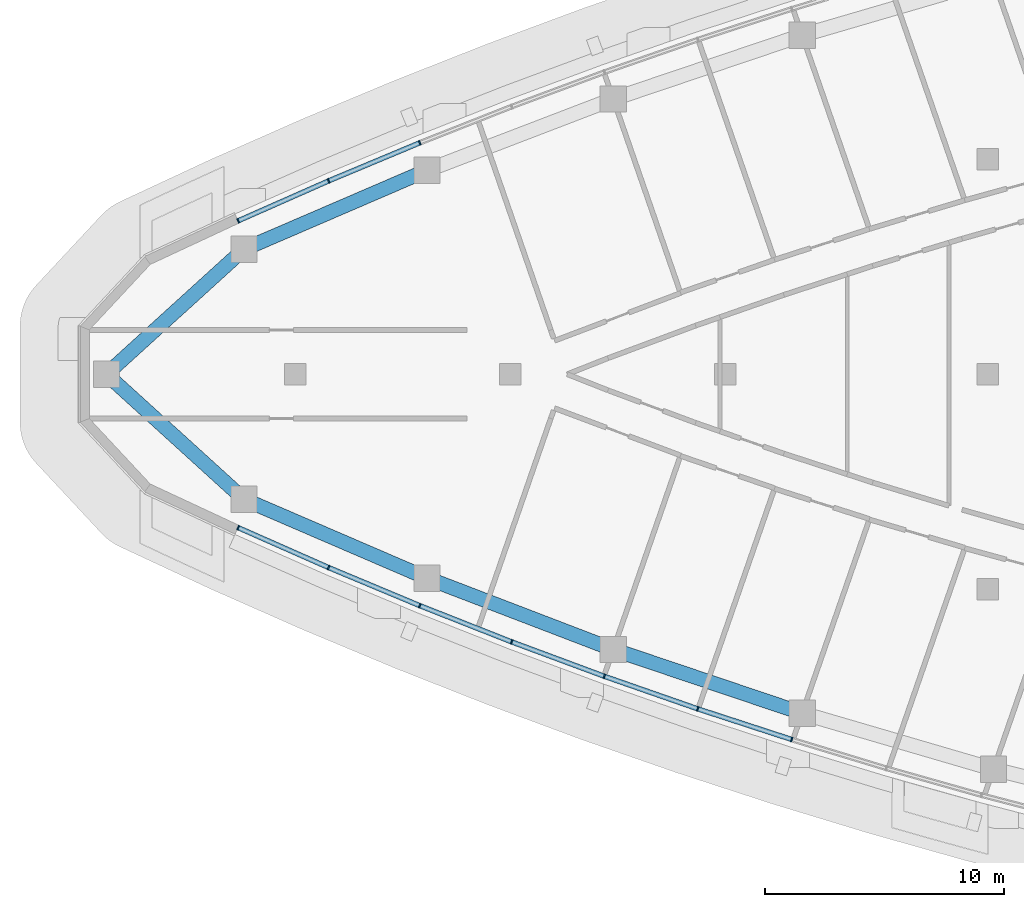
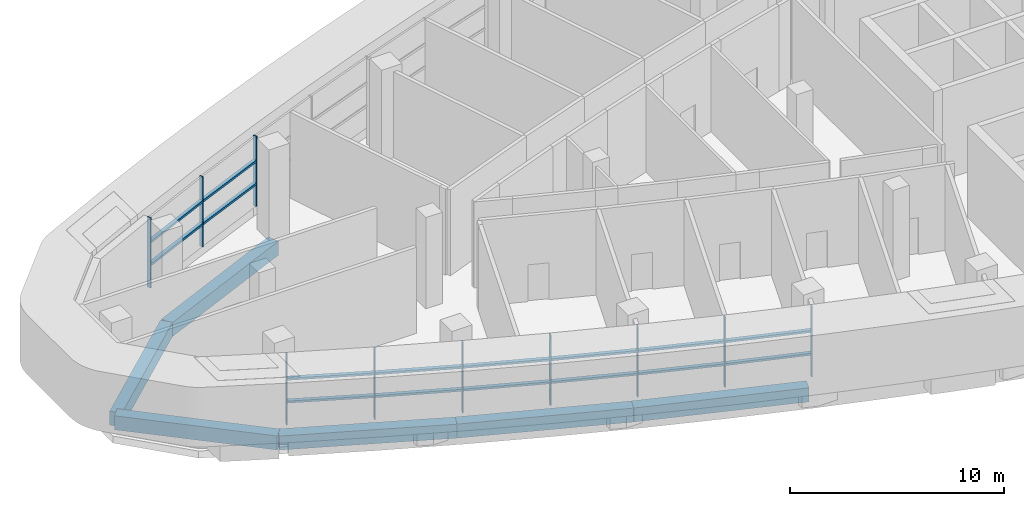
# One storey, part 2 of 14: 26 members, 6 beams, 5 elements without a shape of their own.
"""IFC4 building model written with IfcOpenShell, lengths in metres."""

from ifc_helpers import new_model, si_unit, direction, frame, origin, origin_2d, place, context, subcontext, project, spatial, rectangle, extrude, material, layer, layer_set, material_profile, profile_set, type_object, element, aggregate, save


model = new_model("IFC4")

# Units and contexts
model_context = context("Model", 3, precision=1e-05, world=origin(), true_north=direction((0.0, 1.0)))
body_context = subcontext(model_context, "Body", "Model", "MODEL_VIEW")
ifc_project = project(units=[si_unit("LENGTHUNIT", "METRE"), si_unit("AREAUNIT", "SQUARE_METRE"), si_unit("VOLUMEUNIT", "CUBIC_METRE"), si_unit("PLANEANGLEUNIT", "RADIAN"), si_unit("MASSUNIT", "GRAM", prefix="KILO")], contexts=[model_context])

# Site, building, storey
site_placement = place(None, origin())
site = spatial("IfcSite", under=ifc_project, at=site_placement, CompositionType="ELEMENT")
building_placement = place(site_placement, origin())
building = spatial("IfcBuilding", under=site, at=building_placement, Name="Ostrand Prow Hotel Tower", CompositionType="ELEMENT")
storey_placement = place(building_placement, frame((0.0, 0.0, 303.39990234375)))
storey = spatial("IfcBuildingStorey", under=building, at=storey_placement, Name="L77", CompositionType="ELEMENT", Elevation=303.39990234375)

# Beams
ifc_material_1 = material(Name="Concrete C50/60", Category="concrete")
ifc_material_profile_1 = material_profile(ifc_material_1, rectangle(XDim=0.60009765625, YDim=0.800048828125, at=origin_2d()), Name="RC 600x800")
ifc_profile_set_1 = profile_set([ifc_material_profile_1], Name="Concrete C50/60")
beam_type = type_object("IfcBeamType", Name="Edge beam 600x800 C50/60", PredefinedType="SPANDREL", material=ifc_profile_set_1)
beam_1_placement = place(storey_placement, frame((8.082763671875, 0.0, -0.7998046875), z_axis=(0.740124460758, -0.672469912032, 0.0), x_axis=(0.672469912032, 0.740124460758, 0.0)))
element("IfcBeam", 1, at=beam_1_placement, inside=storey, type_object=beam_type, Name="Edge beam P-S1", PredefinedType="SPANDREL", context=body_context, shape_type="SweptSolid", body=[
    extrude(rectangle(XDim=0.60009765625, YDim=0.800048828125, at=origin_2d()), origin(), (0.0, 0.0, 1.0), 7.787353515625),
])
for number, where, z_axis, x_axis, name in (
    (2, (13.846435546875, -5.23681640625, -0.7998046875), (0.918403788687, -0.39564438695, 0.0), (0.39564438695, 0.918403788687, 0.0), "Edge beam S1-S2"),
    (3, (21.51416015625, -8.5400390625, -0.7998046875), (0.933761753797, -0.357895218111, 0.0), (0.357895218111, 0.933761753797, 0.0), "Edge beam S2-S3"),
    (4, (29.31005859375, -11.528076171875, -0.7998046875), (0.947575089419, -0.319533174981, 0.0), (0.319533174981, 0.947575089419, 0.0), "Edge beam S3-S4"),
    (5, (21.51416015625, 8.5400390625, -0.7998046875), (-0.918403788687, -0.39564438695, 0.0), (0.39564438695, -0.918403788687, 0.0), "Edge beam N5-N6"),
):
    element("IfcBeam", number, at=place(storey_placement, frame(where, z_axis=z_axis, x_axis=x_axis)), inside=storey, type_object=beam_type, Name=name, PredefinedType="SPANDREL", context=body_context, shape_type="SweptSolid", body=[
        extrude(rectangle(XDim=0.60009765625, YDim=0.800048828125, at=origin_2d()), origin(), (0.0, 0.0, 1.0), 8.348876953125),
    ])
beam_2_placement = place(storey_placement, frame((13.846435546875, 5.23681640625, -0.7998046875), z_axis=(-0.740124460758, -0.672469912032, 0.0), x_axis=(0.672469912032, -0.740124460758, 0.0)))
element("IfcBeam", 6, at=beam_2_placement, inside=storey, type_object=beam_type, Name="Edge beam N6-P", PredefinedType="SPANDREL", context=body_context, shape_type="SweptSolid", body=[
    extrude(rectangle(XDim=0.60009765625, YDim=0.800048828125, at=origin_2d()), origin(), (0.0, 0.0, 1.0), 7.787353515625),
])

# Curtain wall, members
ifc_material_2 = material(Name="Insulated glass in bronze anodised frame", Category="glass")
ifc_layer = layer(ifc_material_2, 0.199951171875)
ifc_layer_set = layer_set([ifc_layer], Name="Insulated glass in bronze anodised frame")
curtain_wall_type = type_object("IfcCurtainWallType", Name="Plant storey louvre wall", PredefinedType="NOTDEFINED", material=ifc_layer_set)
curtain_wall_1_placement = place(storey_placement, origin())
curtain_wall_1 = element("IfcCurtainWall", 7, at=curtain_wall_1_placement, inside=storey, type_object=curtain_wall_type, Name="CW7 run CWS1", PredefinedType="NOTDEFINED")
ifc_material_3 = material(Name="Bronze anodised aluminium", Category="aluminium")
ifc_material_profile_2 = material_profile(ifc_material_3, rectangle(XDim=0.199951171875, YDim=0.06005859375, at=origin_2d()), Name="Mullion 60x200 bronze anodised aluminium")
ifc_profile_set_2 = profile_set([ifc_material_profile_2], Name="Bronze anodised aluminium")
member_type_1 = type_object("IfcMemberType", Name="Mullion 60x200 bronze anodised aluminium", PredefinedType="MULLION", material=ifc_profile_set_2)
member_1_placement = place(storey_placement, frame((13.60009765625, -6.423583984375, 0.900146484375), z_axis=(0.0, 0.0, 1.0), x_axis=(0.403939694592, 0.914785615941, 0.0)))
member_1 = element("IfcMember", 8, at=member_1_placement, type_object=member_type_1, Name="CW7 mullion 1", PredefinedType="MULLION", context=body_context, shape_type="SweptSolid", body=[
    extrude(rectangle(XDim=0.199951171875, YDim=0.06005859375, at=origin_2d()), origin(), (0.0, 0.0, 1.0), 4.0),
])
member_2_placement = place(storey_placement, frame((17.386962890625, -8.095947265625, 0.900146484375), z_axis=(0.0, 0.0, 1.0), x_axis=(0.385471263659, 0.922719840955, 0.0)))
member_2 = element("IfcMember", 9, at=member_2_placement, type_object=member_type_1, Name="CW7 mullion 2", PredefinedType="MULLION", context=body_context, shape_type="SweptSolid", body=[
    extrude(rectangle(XDim=0.199951171875, YDim=0.06005859375, at=origin_2d()), origin(), (0.0, 0.0, 1.0), 4.0),
])
member_3_placement = place(storey_placement, frame((21.206787109375, -9.691650390625, 0.900146484375), z_axis=(0.0, 0.0, 1.0), x_axis=(0.385471263659, 0.922719840955, 0.0)))
member_3 = element("IfcMember", 10, at=member_3_placement, type_object=member_type_1, Name="CW7 mullion 3", PredefinedType="MULLION", context=body_context, shape_type="SweptSolid", body=[
    extrude(rectangle(XDim=0.199951171875, YDim=0.06005859375, at=origin_2d()), origin(), (0.0, 0.0, 1.0), 4.0),
])

curtain_wall_2_placement = place(storey_placement, origin())
curtain_wall_2 = element("IfcCurtainWall", 11, at=curtain_wall_2_placement, inside=storey, type_object=curtain_wall_type, Name="CW7 run CWS2", PredefinedType="NOTDEFINED")
member_4_placement = place(storey_placement, frame((25.05810546875, -11.210205078125, 0.900146484375), z_axis=(0.0, 0.0, 1.0), x_axis=(0.348071422738, 0.937468017947, 0.0)))
member_4 = element("IfcMember", 12, at=member_4_placement, type_object=member_type_1, Name="CW7 mullion 2", PredefinedType="MULLION", context=body_context, shape_type="SweptSolid", body=[
    extrude(rectangle(XDim=0.199951171875, YDim=0.06005859375, at=origin_2d()), origin(), (0.0, 0.0, 1.0), 4.0),
])
member_5_placement = place(storey_placement, frame((28.93896484375, -12.6513671875, 0.900146484375), z_axis=(0.0, 0.0, 1.0), x_axis=(0.348071422738, 0.937468017947, 0.0)))
member_5 = element("IfcMember", 13, at=member_5_placement, type_object=member_type_1, Name="CW7 mullion 3", PredefinedType="MULLION", context=body_context, shape_type="SweptSolid", body=[
    extrude(rectangle(XDim=0.199951171875, YDim=0.06005859375, at=origin_2d()), origin(), (0.0, 0.0, 1.0), 4.0),
])

curtain_wall_3_placement = place(storey_placement, origin())
curtain_wall_3 = element("IfcCurtainWall", 14, at=curtain_wall_3_placement, inside=storey, type_object=curtain_wall_type, Name="CW7 run CWS3", PredefinedType="NOTDEFINED")
member_6_placement = place(storey_placement, frame((32.84814453125, -14.013916015625, 0.900146484375), z_axis=(0.0, 0.0, 1.0), x_axis=(0.310110668289, 0.950700464612, 0.0)))
member_6 = element("IfcMember", 15, at=member_6_placement, type_object=member_type_1, Name="CW7 mullion 2", PredefinedType="MULLION", context=body_context, shape_type="SweptSolid", body=[
    extrude(rectangle(XDim=0.199951171875, YDim=0.06005859375, at=origin_2d()), origin(), (0.0, 0.0, 1.0), 4.0),
])
member_7_placement = place(storey_placement, frame((36.78369140625, -15.297607421875, 0.900146484375), z_axis=(0.0, 0.0, 1.0), x_axis=(0.310110668289, 0.950700464612, 0.0)))
member_7 = element("IfcMember", 16, at=member_7_placement, type_object=member_type_1, Name="CW7 mullion 3", PredefinedType="MULLION", context=body_context, shape_type="SweptSolid", body=[
    extrude(rectangle(XDim=0.199951171875, YDim=0.06005859375, at=origin_2d()), origin(), (0.0, 0.0, 1.0), 4.0),
])

# Curtain wall, member
curtain_wall_4_placement = place(storey_placement, origin())
curtain_wall_4 = element("IfcCurtainWall", 17, at=curtain_wall_4_placement, inside=storey, type_object=curtain_wall_type, Name="CW7 run CWN4", PredefinedType="NOTDEFINED")
member_8_placement = place(storey_placement, frame((21.206787109375, 9.691650390625, 0.900146484375), z_axis=(0.0, 0.0, 1.0), x_axis=(0.366845465248, -0.930281895249, 0.0)))
member_8 = element("IfcMember", 18, at=member_8_placement, type_object=member_type_1, Name="CW7 mullion 3", PredefinedType="MULLION", context=body_context, shape_type="SweptSolid", body=[
    extrude(rectangle(XDim=0.199951171875, YDim=0.06005859375, at=origin_2d()), origin(), (0.0, 0.0, 1.0), 4.0),
])
aggregate(curtain_wall_4, [member_8])

# Curtain wall, members
curtain_wall_5_placement = place(storey_placement, origin())
curtain_wall_5 = element("IfcCurtainWall", 19, at=curtain_wall_5_placement, inside=storey, type_object=curtain_wall_type, Name="CW7 run CWN5", PredefinedType="NOTDEFINED")
member_9_placement = place(storey_placement, frame((17.386962890625, 8.095947265625, 0.900146484375), z_axis=(0.0, 0.0, 1.0), x_axis=(0.403939694592, -0.914785615941, 0.0)))
member_9 = element("IfcMember", 20, at=member_9_placement, type_object=member_type_1, Name="CW7 mullion 2", PredefinedType="MULLION", context=body_context, shape_type="SweptSolid", body=[
    extrude(rectangle(XDim=0.199951171875, YDim=0.06005859375, at=origin_2d()), origin(), (0.0, 0.0, 1.0), 4.0),
])
member_10_placement = place(storey_placement, frame((13.60009765625, 6.423583984375, 0.900146484375), z_axis=(0.0, 0.0, 1.0), x_axis=(0.403939694592, -0.914785615941, 0.0)))
member_10 = element("IfcMember", 21, at=member_10_placement, type_object=member_type_1, Name="CW7 mullion 3", PredefinedType="MULLION", context=body_context, shape_type="SweptSolid", body=[
    extrude(rectangle(XDim=0.199951171875, YDim=0.06005859375, at=origin_2d()), origin(), (0.0, 0.0, 1.0), 4.0),
])

# Member
ifc_material_4 = material(Name="Bronze anodised aluminium", Category="aluminium")
ifc_material_profile_3 = material_profile(ifc_material_4, rectangle(XDim=0.199951171875, YDim=0.1201171875, at=origin_2d()), Name="Transom 120x200 bronze anodised aluminium")
ifc_profile_set_3 = profile_set([ifc_material_profile_3], Name="Bronze anodised aluminium")
member_type_2 = type_object("IfcMemberType", Name="Transom 120x200 bronze anodised aluminium", PredefinedType="USERDEFINED", material=ifc_profile_set_3)
member_11_placement = place(storey_placement, frame((13.62744140625, -6.435791015625, 2.2001953125), z_axis=(0.914791011182, -0.403927475991, 0.0), x_axis=(0.403927475991, 0.914791011182, 0.0)))
member_11 = element("IfcMember", 22, at=member_11_placement, type_object=member_type_2, Name="CW7 transom 1.1", ObjectType="TRANSOM", PredefinedType="USERDEFINED", context=body_context, shape_type="SweptSolid", body=[
    extrude(rectangle(XDim=0.199951171875, YDim=0.1201171875, at=origin_2d()), origin(), (0.0, 0.0, 1.0), 4.079833984375),
])

member_12_placement = place(storey_placement, frame((13.62744140625, -6.435791015625, 3.5), z_axis=(0.914791011182, -0.403927475991, 0.0), x_axis=(0.403927475991, 0.914791011182, 0.0)))
member_12 = element("IfcMember", 23, at=member_12_placement, type_object=member_type_2, Name="CW7 transom 1.2", ObjectType="TRANSOM", PredefinedType="USERDEFINED", context=body_context, shape_type="SweptSolid", body=[
    extrude(rectangle(XDim=0.199951171875, YDim=0.1201171875, at=origin_2d()), origin(), (0.0, 0.0, 1.0), 4.079833984375),
])

member_13_placement = place(storey_placement, frame((17.414794921875, -8.107421875, 2.2001953125), z_axis=(0.922706465875, -0.385503278628, 0.0), x_axis=(0.385503278628, 0.922706465875, 0.0)))
member_13 = element("IfcMember", 24, at=member_13_placement, type_object=member_type_2, Name="CW7 transom 2.1", ObjectType="TRANSOM", PredefinedType="USERDEFINED", context=body_context, shape_type="SweptSolid", body=[
    extrude(rectangle(XDim=0.199951171875, YDim=0.1201171875, at=origin_2d()), origin(), (0.0, 0.0, 1.0), 4.079833984375),
])

member_14_placement = place(storey_placement, frame((17.414794921875, -8.107421875, 3.5), z_axis=(0.922706465875, -0.385503278628, 0.0), x_axis=(0.385503278628, 0.922706465875, 0.0)))
member_14 = element("IfcMember", 25, at=member_14_placement, type_object=member_type_2, Name="CW7 transom 2.2", ObjectType="TRANSOM", PredefinedType="USERDEFINED", context=body_context, shape_type="SweptSolid", body=[
    extrude(rectangle(XDim=0.199951171875, YDim=0.1201171875, at=origin_2d()), origin(), (0.0, 0.0, 1.0), 4.079833984375),
])

aggregate(curtain_wall_1, [member_1, member_2, member_3, member_11, member_12, member_13, member_14])

member_15_placement = place(storey_placement, frame((21.23486328125, -9.70263671875, 2.2001953125), z_axis=(0.930289613186, -0.366825892759, 0.0), x_axis=(0.366825892759, 0.930289613186, 0.0)))
member_15 = element("IfcMember", 26, at=member_15_placement, type_object=member_type_2, Name="CW7 transom 1.1", ObjectType="TRANSOM", PredefinedType="USERDEFINED", context=body_context, shape_type="SweptSolid", body=[
    extrude(rectangle(XDim=0.199951171875, YDim=0.1201171875, at=origin_2d()), origin(), (0.0, 0.0, 1.0), 4.079833984375),
])

member_16_placement = place(storey_placement, frame((21.23486328125, -9.70263671875, 3.5), z_axis=(0.930289613186, -0.366825892759, 0.0), x_axis=(0.366825892759, 0.930289613186, 0.0)))
member_16 = element("IfcMember", 27, at=member_16_placement, type_object=member_type_2, Name="CW7 transom 1.2", ObjectType="TRANSOM", PredefinedType="USERDEFINED", context=body_context, shape_type="SweptSolid", body=[
    extrude(rectangle(XDim=0.199951171875, YDim=0.1201171875, at=origin_2d()), origin(), (0.0, 0.0, 1.0), 4.079833984375),
])

member_17_placement = place(storey_placement, frame((25.086181640625, -11.220703125, 2.2001953125), z_axis=(0.937460424566, -0.348091873465, 0.0), x_axis=(0.348091873465, 0.937460424566, 0.0)))
member_17 = element("IfcMember", 28, at=member_17_placement, type_object=member_type_2, Name="CW7 transom 2.1", ObjectType="TRANSOM", PredefinedType="USERDEFINED", context=body_context, shape_type="SweptSolid", body=[
    extrude(rectangle(XDim=0.199951171875, YDim=0.1201171875, at=origin_2d()), origin(), (0.0, 0.0, 1.0), 4.079833984375),
])

member_18_placement = place(storey_placement, frame((25.086181640625, -11.220703125, 3.5), z_axis=(0.937460424566, -0.348091873465, 0.0), x_axis=(0.348091873465, 0.937460424566, 0.0)))
member_18 = element("IfcMember", 29, at=member_18_placement, type_object=member_type_2, Name="CW7 transom 2.2", ObjectType="TRANSOM", PredefinedType="USERDEFINED", context=body_context, shape_type="SweptSolid", body=[
    extrude(rectangle(XDim=0.199951171875, YDim=0.1201171875, at=origin_2d()), origin(), (0.0, 0.0, 1.0), 4.079833984375),
])

aggregate(curtain_wall_2, [member_4, member_5, member_15, member_16, member_17, member_18])

member_19_placement = place(storey_placement, frame((28.96728515625, -12.6611328125, 2.2001953125), z_axis=(0.944268108385, -0.329177367822, 0.0), x_axis=(0.329177367822, 0.944268108385, 0.0)))
member_19 = element("IfcMember", 30, at=member_19_placement, type_object=member_type_2, Name="CW7 transom 1.1", ObjectType="TRANSOM", PredefinedType="USERDEFINED", context=body_context, shape_type="SweptSolid", body=[
    extrude(rectangle(XDim=0.199951171875, YDim=0.1201171875, at=origin_2d()), origin(), (0.0, 0.0, 1.0), 4.079833984375),
])

member_20_placement = place(storey_placement, frame((28.96728515625, -12.6611328125, 3.5), z_axis=(0.944268108385, -0.329177367822, 0.0), x_axis=(0.329177367822, 0.944268108385, 0.0)))
member_20 = element("IfcMember", 31, at=member_20_placement, type_object=member_type_2, Name="CW7 transom 1.2", ObjectType="TRANSOM", PredefinedType="USERDEFINED", context=body_context, shape_type="SweptSolid", body=[
    extrude(rectangle(XDim=0.199951171875, YDim=0.1201171875, at=origin_2d()), origin(), (0.0, 0.0, 1.0), 4.079833984375),
])

member_21_placement = place(storey_placement, frame((32.876708984375, -14.023193359375, 2.2001953125), z_axis=(0.950704145978, -0.310099382165, 0.0), x_axis=(0.310099382165, 0.950704145978, 0.0)))
member_21 = element("IfcMember", 32, at=member_21_placement, type_object=member_type_2, Name="CW7 transom 2.1", ObjectType="TRANSOM", PredefinedType="USERDEFINED", context=body_context, shape_type="SweptSolid", body=[
    extrude(rectangle(XDim=0.199951171875, YDim=0.1201171875, at=origin_2d()), origin(), (0.0, 0.0, 1.0), 4.079833984375),
])

member_22_placement = place(storey_placement, frame((32.876708984375, -14.023193359375, 3.5), z_axis=(0.950704145978, -0.310099382165, 0.0), x_axis=(0.310099382165, 0.950704145978, 0.0)))
member_22 = element("IfcMember", 33, at=member_22_placement, type_object=member_type_2, Name="CW7 transom 2.2", ObjectType="TRANSOM", PredefinedType="USERDEFINED", context=body_context, shape_type="SweptSolid", body=[
    extrude(rectangle(XDim=0.199951171875, YDim=0.1201171875, at=origin_2d()), origin(), (0.0, 0.0, 1.0), 4.079833984375),
])

aggregate(curtain_wall_3, [member_6, member_7, member_19, member_20, member_21, member_22])

member_23_placement = place(storey_placement, frame((21.17919921875, 9.68017578125, 2.2001953125), z_axis=(-0.922706465875, -0.385503278628, 0.0), x_axis=(0.385503278628, -0.922706465875, 0.0)))
member_23 = element("IfcMember", 34, at=member_23_placement, type_object=member_type_2, Name="CW7 transom 1.1", ObjectType="TRANSOM", PredefinedType="USERDEFINED", context=body_context, shape_type="SweptSolid", body=[
    extrude(rectangle(XDim=0.199951171875, YDim=0.1201171875, at=origin_2d()), origin(), (0.0, 0.0, 1.0), 4.079833984375),
])

member_24_placement = place(storey_placement, frame((21.17919921875, 9.68017578125, 3.5), z_axis=(-0.922706465875, -0.385503278628, 0.0), x_axis=(0.385503278628, -0.922706465875, 0.0)))
member_24 = element("IfcMember", 35, at=member_24_placement, type_object=member_type_2, Name="CW7 transom 1.2", ObjectType="TRANSOM", PredefinedType="USERDEFINED", context=body_context, shape_type="SweptSolid", body=[
    extrude(rectangle(XDim=0.199951171875, YDim=0.1201171875, at=origin_2d()), origin(), (0.0, 0.0, 1.0), 4.079833984375),
])

member_25_placement = place(storey_placement, frame((17.359619140625, 8.083740234375, 2.2001953125), z_axis=(-0.914791011182, -0.403927475991, 0.0), x_axis=(0.403927475991, -0.914791011182, 0.0)))
member_25 = element("IfcMember", 36, at=member_25_placement, type_object=member_type_2, Name="CW7 transom 2.1", ObjectType="TRANSOM", PredefinedType="USERDEFINED", context=body_context, shape_type="SweptSolid", body=[
    extrude(rectangle(XDim=0.199951171875, YDim=0.1201171875, at=origin_2d()), origin(), (0.0, 0.0, 1.0), 4.079833984375),
])

member_26_placement = place(storey_placement, frame((17.359619140625, 8.083740234375, 3.5), z_axis=(-0.914791011182, -0.403927475991, 0.0), x_axis=(0.403927475991, -0.914791011182, 0.0)))
member_26 = element("IfcMember", 37, at=member_26_placement, type_object=member_type_2, Name="CW7 transom 2.2", ObjectType="TRANSOM", PredefinedType="USERDEFINED", context=body_context, shape_type="SweptSolid", body=[
    extrude(rectangle(XDim=0.199951171875, YDim=0.1201171875, at=origin_2d()), origin(), (0.0, 0.0, 1.0), 4.079833984375),
])

aggregate(curtain_wall_5, [member_9, member_10, member_23, member_24, member_25, member_26])

save(model, "model.ifc")
